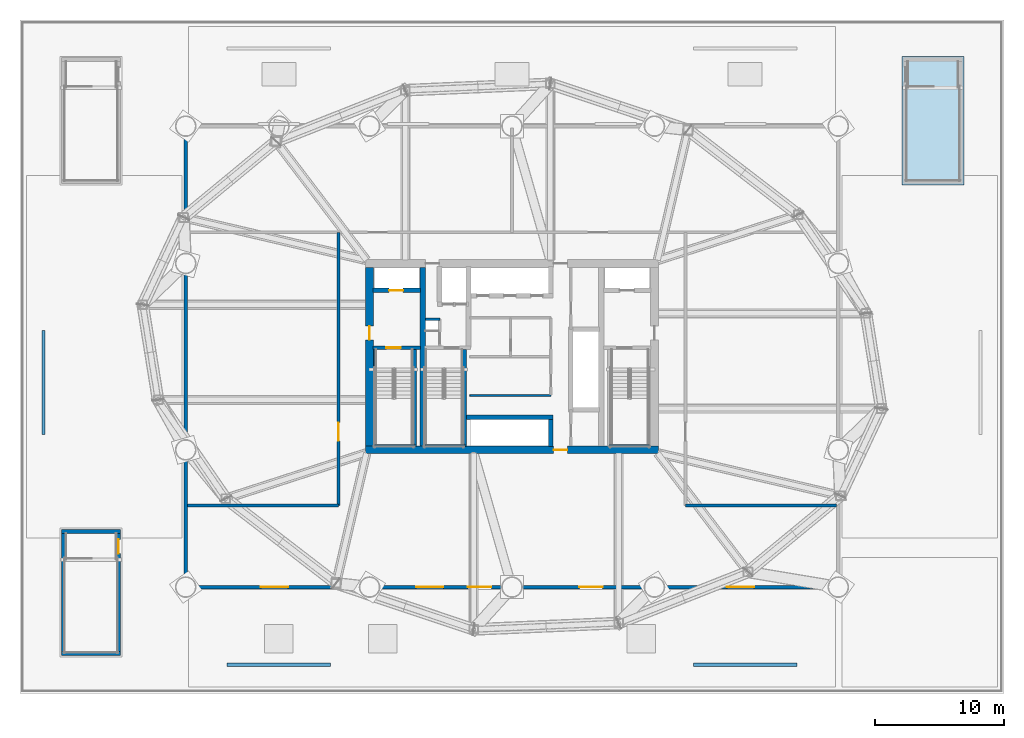
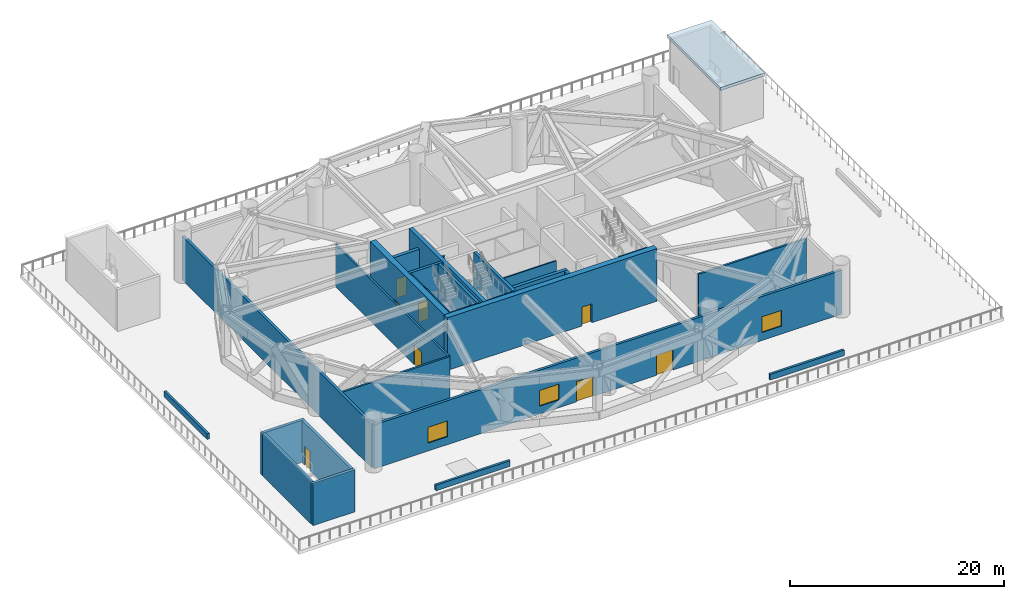
# One storey, part 7 of 14: 27 walls, 8 doors, 3 windows, 1 slab, 11 openings.
"""IFC4 building model written with IfcOpenShell, lengths in metres."""

from ifc_helpers import new_model, si_unit, direction, frame, frame_2d, origin, place, context, subcontext, project, spatial, polyline, rectangle, outline, extrude, material, layer, layer_set, type_object, element, fill, save


model = new_model("IFC4")

# Units and contexts
model_context = context("Model", 3, precision=1e-05, world=origin(), true_north=direction((0.0, 1.0)))
body_context = subcontext(model_context, "Body", "Model", "MODEL_VIEW")
ifc_project = project(units=[si_unit("LENGTHUNIT", "METRE"), si_unit("AREAUNIT", "SQUARE_METRE"), si_unit("VOLUMEUNIT", "CUBIC_METRE"), si_unit("PLANEANGLEUNIT", "RADIAN"), si_unit("MASSUNIT", "GRAM", prefix="KILO")], contexts=[model_context])

# Site, building, storey
site_placement = place(None, origin())
site = spatial("IfcSite", under=ifc_project, at=site_placement, CompositionType="ELEMENT")
building_placement = place(site_placement, origin())
building = spatial("IfcBuilding", under=site, at=building_placement, Name="Bramvorn Convention Spire", CompositionType="ELEMENT")
storey_placement = place(building_placement, frame((0.0, 0.0, 35.39990234375)))
storey = spatial("IfcBuildingStorey", under=building, at=storey_placement, Name="L06", CompositionType="ELEMENT", Elevation=35.39990234375)

# Slab
ifc_material_1 = material(Name="Concrete C50/60", Category="concrete")
ifc_layer_1 = layer(ifc_material_1, 0.35009765625)
ifc_layer_set_1 = layer_set([ifc_layer_1], Name="Concrete C50/60 - SLB-PLT-350")
slab_type = type_object("IfcSlabType", Name="SLB-PLT-350", PredefinedType="FLOOR", material=ifc_layer_set_1)
slab_placement = place(storey_placement, frame((0.0, 0.0, 4.800048828125)))
element("IfcSlab", 1, at=slab_placement, inside=storey, type_object=slab_type, Name="L06 ST5 garden stair headhouse roof", PredefinedType="FLOOR", context=body_context, shape_type="SweptSolid", body=[
    extrude(outline(polyline([(68.1201171875, 39.25), (72.89990234375, 39.25), (72.89990234375, 49.199951171875), (68.1201171875, 49.199951171875), (68.1201171875, 39.25)])), origin(), (0.0, 0.0, 1.0), 0.35009765625),
])

# Wall, opening, door
ifc_material_2 = material(Name="Concrete C60/70", Category="concrete")
ifc_layer_2 = layer(ifc_material_2, 0.60009765625)
ifc_layer_set_2 = layer_set([ifc_layer_2], Name="Concrete C60/70 - WL-CORE-600")
wall_type_1 = type_object("IfcWallType", Name="WL-CORE-600", PredefinedType="SHEAR", material=ifc_layer_set_2)
wall_1_placement = place(storey_placement, frame((26.699951171875, 18.800048828125, 0.0), z_axis=(0.0, 0.0, 1.0), x_axis=(1.0, 0.0, 0.0)))
wall_1 = element("IfcWall", 2, at=wall_1_placement, inside=storey, type_object=wall_type_1, Name="L06 South RC core shear wall", PredefinedType="SHEAR", context=body_context, shape_type="SweptSolid", body=[
    extrude(rectangle(XDim=22.60009765625, YDim=0.60009765625, at=frame_2d((11.300048828125, 0.0))), origin(), (0.0, 0.0, 1.0), 6.0),
])
opening_1_placement = place(wall_1_placement, frame((14.52001953125, 0.0, 0.0)))
opening_1 = element("IfcOpeningElement", 3, at=opening_1_placement, cuts=wall_1, Name="Opening DL-105", PredefinedType="OPENING", context=body_context, shape_type="SweptSolid", body=[
    extrude(rectangle(XDim=1.050048828125, YDim=2.14990234375, at=frame_2d((0.52490234375, 1.074951171875))), frame((0.0, 0.31005859375, 0.0), z_axis=(0.0, -1.0, 0.0), x_axis=(1.0, 0.0, 0.0)), (0.0, 0.0, 1.0), 0.6201171875),
])
ifc_material_3 = material(Name="Smoke-Sealed Fire Lobby Timber-Core Door", Category="wood")
door_type_1 = type_object("IfcDoorType", Name="DR-LOBBY-1050", OperationType="NOTDEFINED", PredefinedType="DOOR", material=ifc_material_3)
door_1_placement = place(opening_1_placement, origin())
door_1 = element("IfcDoor", 4, at=door_1_placement, inside=storey, type_object=door_type_1, Name="L06 South Lift Lobby fire door", OperationType="SINGLE_SWING_RIGHT", OverallHeight=2.14990234375, OverallWidth=1.050048828125, PredefinedType="DOOR", context=body_context, shape_type="SweptSolid", body=[
    extrude(rectangle(XDim=1.050048828125, YDim=2.14990234375, at=frame_2d((0.52490234375, 1.074951171875))), frame((0.0, 0.02490234375, 0.0), z_axis=(0.0, -1.0, 0.0), x_axis=(1.0, 0.0, 0.0)), (0.0, 0.0, 1.0), 0.050048828125),
])
fill(opening_1, door_1)

wall_2_placement = place(storey_placement, frame((27.0, 19.10009765625, 0.0), z_axis=(0.0, 0.0, 1.0), x_axis=(0.0, 1.0, 0.0)))
wall_2 = element("IfcWall", 5, at=wall_2_placement, inside=storey, type_object=wall_type_1, Name="L06 West RC core shear wall", PredefinedType="SHEAR", context=body_context, shape_type="SweptSolid", body=[
    extrude(rectangle(XDim=13.7998046875, YDim=0.60009765625, at=frame_2d((6.89990234375, 0.0))), origin(), (0.0, 0.0, 1.0), 6.0),
])
opening_2_placement = place(wall_2_placement, frame((8.199951171875, 0.0, 0.0)))
opening_2 = element("IfcOpeningElement", 6, at=opening_2_placement, cuts=wall_2, Name="Opening DL-105", PredefinedType="OPENING", context=body_context, shape_type="SweptSolid", body=[
    extrude(rectangle(XDim=1.050048828125, YDim=2.14990234375, at=frame_2d((0.52490234375, 1.074951171875))), frame((0.0, 0.31005859375, 0.0), z_axis=(0.0, -1.0, 0.0), x_axis=(1.0, 0.0, 0.0)), (0.0, 0.0, 1.0), 0.6201171875),
])
door_2_placement = place(opening_2_placement, origin())
door_2 = element("IfcDoor", 7, at=door_2_placement, inside=storey, type_object=door_type_1, Name="L06 West Firefighting Lobby corridor door", OperationType="SINGLE_SWING_RIGHT", OverallHeight=2.14990234375, OverallWidth=1.050048828125, PredefinedType="DOOR", context=body_context, shape_type="SweptSolid", body=[
    extrude(rectangle(XDim=1.050048828125, YDim=2.14990234375, at=frame_2d((0.52490234375, 1.074951171875))), frame((0.0, 0.02490234375, 0.0), z_axis=(0.0, -1.0, 0.0), x_axis=(1.0, 0.0, 0.0)), (0.0, 0.0, 1.0), 0.050048828125),
])
fill(opening_2, door_2)

ifc_layer_3 = layer(ifc_material_1, 0.35009765625)
ifc_layer_set_3 = layer_set([ifc_layer_3], Name="Concrete C50/60 - WL-CORE-INT-350")
wall_type_2 = type_object("IfcWallType", Name="WL-CORE-INT-350", PredefinedType="SHEAR", material=ifc_layer_set_3)
wall_3_placement = place(storey_placement, frame((27.25, 31.1201171875, 0.0), z_axis=(0.0, 0.0, 1.0), x_axis=(1.0, 0.0, 0.0)))
wall_3 = element("IfcWall", 8, at=wall_3_placement, inside=storey, type_object=wall_type_2, Name="L06 FE1 shaft front wall", PredefinedType="SHEAR", context=body_context, shape_type="SweptSolid", body=[
    extrude(rectangle(XDim=3.669921875, YDim=0.35009765625, at=frame_2d((1.8349609375, 0.0))), origin(), (0.0, 0.0, 1.0), 4.81005859375),
])
opening_3_placement = place(wall_3_placement, frame((1.25, 0.0, 0.0)))
opening_3 = element("IfcOpeningElement", 9, at=opening_3_placement, cuts=wall_3, Name="Opening LD-110", PredefinedType="OPENING", context=body_context, shape_type="SweptSolid", body=[
    extrude(rectangle(XDim=1.10009765625, YDim=2.14990234375, at=frame_2d((0.550048828125, 1.074951171875))), frame((0.0, 0.18505859375, 0.0), z_axis=(0.0, -1.0, 0.0), x_axis=(1.0, 0.0, 0.0)), (0.0, 0.0, 1.0), 0.3701171875),
])
ifc_material_4 = material(Name="Firefighting & Service Lift Sliding Landing Door", Category="steel")
door_type_2 = type_object("IfcDoorType", Name="DR-LIFT-LD-1100", OperationType="NOTDEFINED", PredefinedType="DOOR", material=ifc_material_4)
door_3_placement = place(opening_3_placement, origin())
door_3 = element("IfcDoor", 10, at=door_3_placement, inside=storey, type_object=door_type_2, Name="L06 Lift FE1 Sliding Landing Door", OperationType="SLIDING_TO_LEFT", OverallHeight=2.14990234375, OverallWidth=1.10009765625, PredefinedType="DOOR", context=body_context, shape_type="SweptSolid", body=[
    extrude(rectangle(XDim=1.10009765625, YDim=2.14990234375, at=frame_2d((0.550048828125, 1.074951171875))), frame((0.0, 0.02490234375, 0.0), z_axis=(0.0, -1.0, 0.0), x_axis=(1.0, 0.0, 0.0)), (0.0, 0.0, 1.0), 0.050048828125),
])
fill(opening_3, door_3)

# Walls
wall_4_placement = place(storey_placement, frame((34.489990234375, 21.300048828125, 0.0), z_axis=(0.0, 0.0, 1.0), x_axis=(1.0, 0.0, 0.0)))
element("IfcWall", 11, at=wall_4_placement, inside=storey, type_object=wall_type_2, Name="L06 Mid-rise bank north landing wall", PredefinedType="SHEAR", context=body_context, shape_type="SweptSolid", body=[
    extrude(rectangle(XDim=6.679931640625, YDim=0.35009765625, at=frame_2d((3.33984375, 0.0))), origin(), (0.0, 0.0, 1.0), 4.81005859375),
])
wall_5_placement = place(storey_placement, frame((41.0, 19.050048828125, 0.0), z_axis=(0.0, 0.0, 1.0), x_axis=(0.0, 1.0, 0.0)))
element("IfcWall", 12, at=wall_5_placement, inside=storey, type_object=wall_type_2, Name="L06 Mid-rise bank east cheek wall", PredefinedType="SHEAR", context=body_context, shape_type="SweptSolid", body=[
    extrude(rectangle(XDim=2.079833984375, YDim=0.35009765625, at=frame_2d((1.0400390625, 0.0))), origin(), (0.0, 0.0, 1.0), 4.81005859375),
])
ifc_layer_4 = layer(ifc_material_2, 0.39990234375)
ifc_layer_set_4 = layer_set([ifc_layer_4], Name="Concrete C60/70 - WL-CORE-INT-400")
wall_type_3 = type_object("IfcWallType", Name="WL-CORE-INT-400", PredefinedType="SHEAR", material=ifc_layer_set_4)
wall_6_placement = place(storey_placement, frame((31.10009765625, 19.10009765625, 0.0), z_axis=(0.0, 0.0, 1.0), x_axis=(0.0, 1.0, 0.0)))
element("IfcWall", 13, at=wall_6_placement, inside=storey, type_object=wall_type_3, Name="L06 West internal core shear web", PredefinedType="SHEAR", context=body_context, shape_type="SweptSolid", body=[
    extrude(rectangle(XDim=13.7998046875, YDim=0.39990234375, at=frame_2d((6.89990234375, 0.0))), origin(), (0.0, 0.0, 1.0), 6.0),
])

# Wall, openings, doors, windows
ifc_material_5 = material(Name="Precast Concrete C40/50 Insulated Terrace Wall", Category="concrete")
ifc_layer_5 = layer(ifc_material_5, 0.280029296875)
ifc_layer_set_5 = layer_set([ifc_layer_5], Name="Precast Concrete C40/50 Insulated Terrace Wall - WL-EXT-TERR-280")
wall_type_4 = type_object("IfcWallType", Name="WL-EXT-TERR-280", PredefinedType="SOLIDWALL", material=ifc_layer_set_5)
wall_7_placement = place(storey_placement, frame((63.199951171875, 8.199951171875, 0.0), z_axis=(0.0, 0.0, 1.0), x_axis=(-1.0, 0.0, 0.0)))
wall_7 = element("IfcWall", 14, at=wall_7_placement, inside=storey, type_object=wall_type_4, Name="L06 South Garden Pavilion wall", PredefinedType="SOLIDWALL", context=body_context, shape_type="SweptSolid", body=[
    extrude(rectangle(XDim=50.39990234375, YDim=0.280029296875, at=frame_2d((25.199951171875, 0.0))), origin(), (0.0, 0.0, 1.0), 5.0),
])
opening_4_placement = place(wall_7_placement, frame((26.800048828125, 0.0, 0.0)))
opening_4 = element("IfcOpeningElement", 15, at=opening_4_placement, cuts=wall_7, Name="Opening DE03", PredefinedType="OPENING", context=body_context, shape_type="SweptSolid", body=[
    extrude(rectangle(XDim=1.800048828125, YDim=2.300048828125, at=frame_2d((0.89990234375, 1.14990234375))), frame((0.0, 0.14990234375, 0.0), z_axis=(0.0, -1.0, 0.0), x_axis=(1.0, 0.0, 0.0)), (0.0, 0.0, 1.0), 0.300048828125),
])
opening_5_placement = place(wall_7_placement, frame((18.199951171875, 0.0, 0.0)))
opening_5 = element("IfcOpeningElement", 16, at=opening_5_placement, cuts=wall_7, Name="Opening DE03", PredefinedType="OPENING", context=body_context, shape_type="SweptSolid", body=[
    extrude(rectangle(XDim=1.800048828125, YDim=2.300048828125, at=frame_2d((0.89990234375, 1.14990234375))), frame((0.0, 0.14990234375, 0.0), z_axis=(0.0, -1.0, 0.0), x_axis=(1.0, 0.0, 0.0)), (0.0, 0.0, 1.0), 0.300048828125),
])
opening_6_placement = place(wall_7_placement, frame((6.5, 0.0, 0.89990234375)))
opening_6 = element("IfcOpeningElement", 17, at=opening_6_placement, cuts=wall_7, Name="Opening WN04", PredefinedType="OPENING", context=body_context, shape_type="SweptSolid", body=[
    extrude(rectangle(XDim=2.10009765625, YDim=1.800048828125, at=frame_2d((1.050048828125, 0.89990234375))), frame((0.0, 0.14990234375, 0.0), z_axis=(0.0, -1.0, 0.0), x_axis=(1.0, 0.0, 0.0)), (0.0, 0.0, 1.0), 0.300048828125),
])
opening_7_placement = place(wall_7_placement, frame((30.5, 0.0, 0.89990234375)))
opening_7 = element("IfcOpeningElement", 18, at=opening_7_placement, cuts=wall_7, Name="Opening WN04", PredefinedType="OPENING", context=body_context, shape_type="SweptSolid", body=[
    extrude(rectangle(XDim=2.10009765625, YDim=1.800048828125, at=frame_2d((1.050048828125, 0.89990234375))), frame((0.0, 0.14990234375, 0.0), z_axis=(0.0, -1.0, 0.0), x_axis=(1.0, 0.0, 0.0)), (0.0, 0.0, 1.0), 0.300048828125),
])
opening_8_placement = place(wall_7_placement, frame((42.5, 0.0, 0.89990234375)))
opening_8 = element("IfcOpeningElement", 19, at=opening_8_placement, cuts=wall_7, Name="Opening WN04", PredefinedType="OPENING", context=body_context, shape_type="SweptSolid", body=[
    extrude(rectangle(XDim=2.10009765625, YDim=1.800048828125, at=frame_2d((1.050048828125, 0.89990234375))), frame((0.0, 0.14990234375, 0.0), z_axis=(0.0, -1.0, 0.0), x_axis=(1.0, 0.0, 0.0)), (0.0, 0.0, 1.0), 0.300048828125),
])
ifc_material_6 = material(Name="Anodised Bronze Aluminium & Laminated Safety Glass", Category="aluminium")
door_type_3 = type_object("IfcDoorType", Name="DR-EXT-1800X2300", OperationType="NOTDEFINED", PredefinedType="DOOR", material=ifc_material_6)
door_4_placement = place(opening_4_placement, origin())
door_4 = element("IfcDoor", 20, at=door_4_placement, inside=storey, type_object=door_type_3, Name="L06 Raised Garden West Terrace Door", OperationType="DOUBLE_DOOR_SINGLE_SWING", OverallHeight=2.300048828125, OverallWidth=1.800048828125, PredefinedType="DOOR", context=body_context, shape_type="SweptSolid", body=[
    extrude(rectangle(XDim=1.800048828125, YDim=2.300048828125, at=frame_2d((0.89990234375, 1.14990234375))), frame((0.0, 0.02490234375, 0.0), z_axis=(0.0, -1.0, 0.0), x_axis=(1.0, 0.0, 0.0)), (0.0, 0.0, 1.0), 0.050048828125),
])
fill(opening_4, door_4)
door_5_placement = place(opening_5_placement, origin())
door_5 = element("IfcDoor", 21, at=door_5_placement, inside=storey, type_object=door_type_3, Name="L06 Raised Garden East Terrace Door", OperationType="DOUBLE_DOOR_SINGLE_SWING", OverallHeight=2.300048828125, OverallWidth=1.800048828125, PredefinedType="DOOR", context=body_context, shape_type="SweptSolid", body=[
    extrude(rectangle(XDim=1.800048828125, YDim=2.300048828125, at=frame_2d((0.89990234375, 1.14990234375))), frame((0.0, 0.02490234375, 0.0), z_axis=(0.0, -1.0, 0.0), x_axis=(1.0, 0.0, 0.0)), (0.0, 0.0, 1.0), 0.050048828125),
])
fill(opening_5, door_5)
ifc_material_7 = material(Name="Thermally Broken Bronze Aluminium & Triple Low-E Glass", Category="aluminium")
window_type = type_object("IfcWindowType", Name="WN-OP-2100X1800", PartitioningType="SINGLE_PANEL", PredefinedType="WINDOW", material=ifc_material_7)
window_1_placement = place(opening_6_placement, origin())
window_1 = element("IfcWindow", 22, at=window_1_placement, inside=storey, type_object=window_type, Name="L06 Garden Pavilion window 1", OverallHeight=1.800048828125, OverallWidth=2.10009765625, PartitioningType="SINGLE_PANEL", PredefinedType="WINDOW", context=body_context, shape_type="SweptSolid", body=[
    extrude(rectangle(XDim=2.10009765625, YDim=1.800048828125, at=frame_2d((1.050048828125, 0.89990234375))), frame((0.0, 0.030029296875, 0.0), z_axis=(0.0, -1.0, 0.0), x_axis=(1.0, 0.0, 0.0)), (0.0, 0.0, 1.0), 0.06005859375),
])
fill(opening_6, window_1)
window_2_placement = place(opening_7_placement, origin())
window_2 = element("IfcWindow", 23, at=window_2_placement, inside=storey, type_object=window_type, Name="L06 Garden Pavilion window 2", OverallHeight=1.800048828125, OverallWidth=2.10009765625, PartitioningType="SINGLE_PANEL", PredefinedType="WINDOW", context=body_context, shape_type="SweptSolid", body=[
    extrude(rectangle(XDim=2.10009765625, YDim=1.800048828125, at=frame_2d((1.050048828125, 0.89990234375))), frame((0.0, 0.030029296875, 0.0), z_axis=(0.0, -1.0, 0.0), x_axis=(1.0, 0.0, 0.0)), (0.0, 0.0, 1.0), 0.06005859375),
])
fill(opening_7, window_2)
window_3_placement = place(opening_8_placement, origin())
window_3 = element("IfcWindow", 24, at=window_3_placement, inside=storey, type_object=window_type, Name="L06 Garden Pavilion window 3", OverallHeight=1.800048828125, OverallWidth=2.10009765625, PartitioningType="SINGLE_PANEL", PredefinedType="WINDOW", context=body_context, shape_type="SweptSolid", body=[
    extrude(rectangle(XDim=2.10009765625, YDim=1.800048828125, at=frame_2d((1.050048828125, 0.89990234375))), frame((0.0, 0.030029296875, 0.0), z_axis=(0.0, -1.0, 0.0), x_axis=(1.0, 0.0, 0.0)), (0.0, 0.0, 1.0), 0.06005859375),
])
fill(opening_8, window_3)

# Walls
wall_8_placement = place(storey_placement, frame((12.800048828125, 8.340087890625, 0.0), z_axis=(0.0, 0.0, 1.0), x_axis=(0.0, 1.0, 0.0)))
element("IfcWall", 25, at=wall_8_placement, inside=storey, type_object=wall_type_4, Name="L06 West transfer enclosure wall", PredefinedType="SOLIDWALL", context=body_context, shape_type="SweptSolid", body=[
    extrude(rectangle(XDim=35.31982421875, YDim=0.280029296875, at=frame_2d((17.659912109375, 0.0))), origin(), (0.0, 0.0, 1.0), 5.0),
])
ifc_material_8 = material(Name="Precast Concrete C40/50 Parapet", Category="concrete")
ifc_layer_6 = layer(ifc_material_8, 0.239990234375)
ifc_layer_set_6 = layer_set([ifc_layer_6], Name="Precast Concrete C40/50 Parapet - WL-PARAPET-240")
wall_type_5 = type_object("IfcWallType", Name="WL-PARAPET-240", PredefinedType="PARAPET", material=ifc_layer_set_6)
for number, where, z_axis, x_axis, name in (
    (26, (16.0, 2.199951171875, 0.0), (0.0, 0.0, 1.0), (1.0, 0.0, 0.0), "L06 Raised Garden stone planter wall 1"),
    (27, (52.0, 2.199951171875, 0.0), (0.0, 0.0, 1.0), (1.0, 0.0, 0.0), "L06 Raised Garden stone planter wall 2"),
    (28, (1.800048828125, 20.0, 0.0), (0.0, 0.0, 1.0), (0.0, 1.0, 0.0), "L06 Raised Garden stone planter wall 5"),
):
    element("IfcWall", number, at=place(storey_placement, frame(where, z_axis=z_axis, x_axis=x_axis)), inside=storey, type_object=wall_type_5, Name=name, PredefinedType="PARAPET", context=body_context, shape_type="SweptSolid", body=[
        extrude(rectangle(XDim=8.0, YDim=0.239990234375, at=frame_2d((4.0, 0.0))), origin(), (0.0, 0.0, 1.0), 0.650146484375),
    ])
ifc_material_9 = material(Name="Acoustic Metal-Stud Tenant/Corridor Partition", Category="gypsum")
ifc_layer_7 = layer(ifc_material_9, 0.14990234375)
ifc_layer_set_7 = layer_set([ifc_layer_7], Name="Acoustic Metal-Stud Tenant/Corridor Partition - WL-PART-150")
wall_type_6 = type_object("IfcWallType", Name="WL-PART-150", PredefinedType="PARTITIONING", material=ifc_layer_set_7)
wall_9_placement = place(storey_placement, frame((34.75, 23.0, 0.0), z_axis=(0.0, 0.0, 1.0), x_axis=(1.0, 0.0, 0.0)))
element("IfcWall", 29, at=wall_9_placement, inside=storey, type_object=wall_type_6, Name="L06 Mid-rise lift vestibule north wall", PredefinedType="PARTITIONING", context=body_context, shape_type="SweptSolid", body=[
    extrude(rectangle(XDim=6.25, YDim=0.14990234375, at=frame_2d((3.125, 0.0))), origin(), (0.0, 0.0, 1.0), 4.81005859375),
])
ifc_material_10 = material(Name="Gypsum Shaftwall & Rockwool Core Partition", Category="gypsum")
ifc_layer_8 = layer(ifc_material_10, 0.199951171875)
ifc_layer_set_8 = layer_set([ifc_layer_8], Name="Gypsum Shaftwall & Rockwool Core Partition - WL-PART-200-FR")
wall_type_7 = type_object("IfcWallType", Name="WL-PART-200-FR", PredefinedType="PARTITIONING", material=ifc_layer_set_8)
wall_10_placement = place(storey_placement, frame((31.300048828125, 28.89990234375, 0.0), z_axis=(0.0, 0.0, 1.0), x_axis=(1.0, 0.0, 0.0)))
element("IfcWall", 30, at=wall_10_placement, inside=storey, type_object=wall_type_7, Name="L06 Telecom riser north wall", PredefinedType="PARTITIONING", context=body_context, shape_type="SweptSolid", body=[
    extrude(rectangle(XDim=1.119873046875, YDim=0.199951171875, at=frame_2d((0.56005859375, 0.0))), origin(), (0.0, 0.0, 1.0), 4.81005859375),
])

# Wall, opening, door
wall_11_placement = place(storey_placement, frame((24.60009765625, 14.5, 0.0), z_axis=(0.0, 0.0, 1.0), x_axis=(0.0, 1.0, 0.0)))
wall_11 = element("IfcWall", 31, at=wall_11_placement, inside=storey, type_object=wall_type_7, Name="L06 West plant corridor wall", PredefinedType="PARTITIONING", context=body_context, shape_type="SweptSolid", body=[
    extrude(rectangle(XDim=21.10009765625, YDim=0.199951171875, at=frame_2d((10.550048828125, 0.0))), origin(), (0.0, 0.0, 1.0), 4.81005859375),
])
opening_9_placement = place(wall_11_placement, frame((5.0, 0.0, 0.0)))
opening_9 = element("IfcOpeningElement", 32, at=opening_9_placement, cuts=wall_11, Name="Opening DP-140", PredefinedType="OPENING", context=body_context, shape_type="SweptSolid", body=[
    extrude(rectangle(XDim=1.39990234375, YDim=2.25, at=frame_2d((0.699951171875, 1.125))), frame((0.0, 0.10986328125, 0.0), z_axis=(0.0, -1.0, 0.0), x_axis=(1.0, 0.0, 0.0)), (0.0, 0.0, 1.0), 0.219970703125),
])
ifc_material_11 = material(Name="Heavy-Duty Acoustic Louvre Plant Room Door", Category="steel")
door_type_4 = type_object("IfcDoorType", Name="DR-PLANT-1400", OperationType="NOTDEFINED", PredefinedType="DOOR", material=ifc_material_11)
door_6_placement = place(opening_9_placement, origin())
door_6 = element("IfcDoor", 33, at=door_6_placement, inside=storey, type_object=door_type_4, Name="L06 Podium AHU Plant West door", OperationType="DOUBLE_DOOR_SINGLE_SWING", OverallHeight=2.25, OverallWidth=1.39990234375, PredefinedType="DOOR", context=body_context, shape_type="SweptSolid", body=[
    extrude(rectangle(XDim=1.39990234375, YDim=2.25, at=frame_2d((0.699951171875, 1.125))), frame((0.0, 0.02490234375, 0.0), z_axis=(0.0, -1.0, 0.0), x_axis=(1.0, 0.0, 0.0)), (0.0, 0.0, 1.0), 0.050048828125),
])
fill(opening_9, door_6)

# Walls
for number, where, z_axis, x_axis, name in (
    (34, (12.93994140625, 14.5, 0.0), (0.0, 0.0, 1.0), (1.0, 0.0, 0.0), "L06 West plant south wall"),
    (35, (51.39990234375, 14.5, 0.0), (0.0, 0.0, 1.0), (1.0, 0.0, 0.0), "L06 East plant south wall"),
):
    element("IfcWall", number, at=place(storey_placement, frame(where, z_axis=z_axis, x_axis=x_axis)), inside=storey, type_object=wall_type_7, Name=name, PredefinedType="PARTITIONING", context=body_context, shape_type="SweptSolid", body=[
        extrude(rectangle(XDim=11.66015625, YDim=0.199951171875, at=frame_2d((5.830078125, 0.0))), origin(), (0.0, 0.0, 1.0), 4.81005859375),
    ])

# Wall, opening, door
ifc_layer_9 = layer(ifc_material_1, 0.300048828125)
ifc_layer_set_9 = layer_set([ifc_layer_9], Name="Concrete C50/60 - WL-POD-STAIR-300")
wall_type_8 = type_object("IfcWallType", Name="WL-POD-STAIR-300", PredefinedType="SHEAR", material=ifc_layer_set_9)
wall_12_placement = place(storey_placement, frame((27.25, 26.68994140625, 0.0), z_axis=(0.0, 0.0, 1.0), x_axis=(1.0, 0.0, 0.0)))
wall_12 = element("IfcWall", 36, at=wall_12_placement, inside=storey, type_object=wall_type_8, Name="L06 ST1 north fire wall", PredefinedType="SHEAR", context=body_context, shape_type="SweptSolid", body=[
    extrude(rectangle(XDim=3.669921875, YDim=0.300048828125, at=frame_2d((1.8349609375, 0.0))), origin(), (0.0, 0.0, 1.0), 6.0),
])
opening_10_placement = place(wall_12_placement, frame((1.050048828125, 0.0, 0.0)))
opening_10 = element("IfcOpeningElement", 37, at=opening_10_placement, cuts=wall_12, Name="Opening DS-110", PredefinedType="OPENING", context=body_context, shape_type="SweptSolid", body=[
    extrude(rectangle(XDim=1.10009765625, YDim=2.14990234375, at=frame_2d((0.550048828125, 1.074951171875))), frame((0.0, 0.159912109375, 0.0), z_axis=(0.0, -1.0, 0.0), x_axis=(1.0, 0.0, 0.0)), (0.0, 0.0, 1.0), 0.320068359375),
])
ifc_material_12 = material(Name="Fire-Rated Hollow Steel Stairwell Door", Category="steel")
door_type_5 = type_object("IfcDoorType", Name="DR-STAIR-1100", OperationType="NOTDEFINED", PredefinedType="DOOR", material=ifc_material_12)
door_7_placement = place(opening_10_placement, origin())
door_7 = element("IfcDoor", 38, at=door_7_placement, inside=storey, type_object=door_type_5, Name="L06 Stair ST1 fire door", OperationType="SINGLE_SWING_LEFT", OverallHeight=2.14990234375, OverallWidth=1.10009765625, PredefinedType="DOOR", context=body_context, shape_type="SweptSolid", body=[
    extrude(rectangle(XDim=1.10009765625, YDim=2.14990234375, at=frame_2d((0.550048828125, 1.074951171875))), frame((0.0, 0.02490234375, 0.0), z_axis=(0.0, -1.0, 0.0), x_axis=(1.0, 0.0, 0.0)), (0.0, 0.0, 1.0), 0.050048828125),
])
fill(opening_10, door_7)

# Walls
for number, where, z_axis, x_axis, name in (
    (39, (30.489990234375, 19.050048828125, 0.0), (0.0, 0.0, 1.0), (0.0, 1.0, 0.0), "L06 ST1 east bearing wall"),
    (40, (34.340087890625, 19.050048828125, 0.0), (0.0, 0.0, 1.0), (0.0, 1.0, 0.0), "L06 ST3 east bearing wall"),
):
    element("IfcWall", number, at=place(storey_placement, frame(where, z_axis=z_axis, x_axis=x_axis)), inside=storey, type_object=wall_type_8, Name=name, PredefinedType="SHEAR", context=body_context, shape_type="SweptSolid", body=[
        extrude(rectangle(XDim=7.5, YDim=0.300048828125, at=frame_2d((3.75, 0.0))), origin(), (0.0, 0.0, 1.0), 6.0),
    ])
for number, where, z_axis, x_axis, name in (
    (41, (3.2099609375, 3.06005859375, 0.0), (0.0, 0.0, 1.0), (1.0, 0.0, 0.0), "L06 ST4 south shaft wall"),
    (42, (3.2099609375, 12.489990234375, 0.0), (0.0, 0.0, 1.0), (1.0, 0.0, 0.0), "L06 ST4 north shaft wall"),
):
    element("IfcWall", number, at=place(storey_placement, frame(where, z_axis=z_axis, x_axis=x_axis)), inside=storey, type_object=wall_type_8, Name=name, PredefinedType="SHEAR", context=body_context, shape_type="SweptSolid", body=[
        extrude(rectangle(XDim=4.56005859375, YDim=0.300048828125, at=frame_2d((2.280029296875, 0.0))), origin(), (0.0, 0.0, 1.0), 4.800048828125),
    ])
wall_13_placement = place(storey_placement, frame((3.360107421875, 3.2099609375, 0.0), z_axis=(0.0, 0.0, 1.0), x_axis=(0.0, 1.0, 0.0)))
element("IfcWall", 43, at=wall_13_placement, inside=storey, type_object=wall_type_8, Name="L06 ST4 west shaft wall", PredefinedType="SHEAR", context=body_context, shape_type="SweptSolid", body=[
    extrude(rectangle(XDim=9.130126953125, YDim=0.300048828125, at=frame_2d((4.56494140625, 0.0))), origin(), (0.0, 0.0, 1.0), 4.800048828125),
])

# Wall, opening, door
wall_14_placement = place(storey_placement, frame((7.6201171875, 12.340087890625, 0.0), z_axis=(0.0, 0.0, 1.0), x_axis=(0.0, -1.0, 0.0)))
wall_14 = element("IfcWall", 44, at=wall_14_placement, inside=storey, type_object=wall_type_8, Name="L06 ST4 east shaft wall", PredefinedType="SHEAR", context=body_context, shape_type="SweptSolid", body=[
    extrude(rectangle(XDim=9.130126953125, YDim=0.300048828125, at=frame_2d((4.56494140625, 0.0))), origin(), (0.0, 0.0, 1.0), 4.800048828125),
])
opening_11_placement = place(wall_14_placement, frame((0.449951171875, 0.0, 0.0)))
opening_11 = element("IfcOpeningElement", 45, at=opening_11_placement, cuts=wall_14, Name="Opening DS-110", PredefinedType="OPENING", context=body_context, shape_type="SweptSolid", body=[
    extrude(rectangle(XDim=1.10009765625, YDim=2.14990234375, at=frame_2d((0.550048828125, 1.074951171875))), frame((0.0, 0.159912109375, 0.0), z_axis=(0.0, -1.0, 0.0), x_axis=(1.0, 0.0, 0.0)), (0.0, 0.0, 1.0), 0.320068359375),
])
door_8_placement = place(opening_11_placement, origin())
door_8 = element("IfcDoor", 46, at=door_8_placement, inside=storey, type_object=door_type_5, Name="L06 ST4 exit stairwell door", OperationType="SINGLE_SWING_LEFT", OverallHeight=2.14990234375, OverallWidth=1.10009765625, PredefinedType="DOOR", context=body_context, shape_type="SweptSolid", body=[
    extrude(rectangle(XDim=1.10009765625, YDim=2.14990234375, at=frame_2d((0.550048828125, 1.074951171875))), frame((0.0, 0.02490234375, 0.0), z_axis=(0.0, -1.0, 0.0), x_axis=(1.0, 0.0, 0.0)), (0.0, 0.0, 1.0), 0.050048828125),
])
fill(opening_11, door_8)

# Walls
ifc_layer_10 = layer(ifc_material_1, 0.1201171875)
ifc_layer_set_10 = layer_set([ifc_layer_10], Name="Concrete C50/60 - WL-STAIR-RC-120")
wall_type_9 = type_object("IfcWallType", Name="WL-STAIR-RC-120", PredefinedType="SHEAR", material=ifc_layer_set_10)
wall_15_placement = place(storey_placement, frame((27.39501953125, 19.10009765625, 0.0), z_axis=(0.0, 0.0, 1.0), x_axis=(0.0, 1.0, 0.0)))
element("IfcWall", 47, at=wall_15_placement, inside=storey, type_object=wall_type_9, Name="L06 ST1 west bearing shear wall", PredefinedType="SHEAR", context=body_context, shape_type="SweptSolid", body=[
    extrude(rectangle(XDim=7.449951171875, YDim=0.1201171875, at=frame_2d((3.72509765625, 0.0))), origin(), (0.0, 0.0, 1.0), 6.0),
])
for number, where, z_axis, x_axis, name in (
    (48, (27.39501953125, 19.159912109375, 0.0), (0.0, 0.0, 1.0), (1.0, 0.0, 0.0), "L06 ST1 south bearing shear wall"),
    (49, (45.510009765625, 19.159912109375, 0.0), (0.0, 0.0, 1.0), (1.0, 0.0, 0.0), "L06 ST2 south bearing shear wall"),
):
    element("IfcWall", number, at=place(storey_placement, frame(where, z_axis=z_axis, x_axis=x_axis)), inside=storey, type_object=wall_type_9, Name=name, PredefinedType="SHEAR", context=body_context, shape_type="SweptSolid", body=[
        extrude(rectangle(XDim=3.094970703125, YDim=0.1201171875, at=frame_2d((1.54736328125, 0.0))), origin(), (0.0, 0.0, 1.0), 6.0),
    ])
wall_16_placement = place(storey_placement, frame((31.300048828125, 19.159912109375, 0.0), z_axis=(0.0, 0.0, 1.0), x_axis=(1.0, 0.0, 0.0)))
element("IfcWall", 50, at=wall_16_placement, inside=storey, type_object=wall_type_9, Name="L06 ST3 south bearing shear wall", PredefinedType="SHEAR", context=body_context, shape_type="SweptSolid", body=[
    extrude(rectangle(XDim=3.0400390625, YDim=0.1201171875, at=frame_2d((1.52001953125, 0.0))), origin(), (0.0, 0.0, 1.0), 6.0),
])

save(model, "model.ifc")
